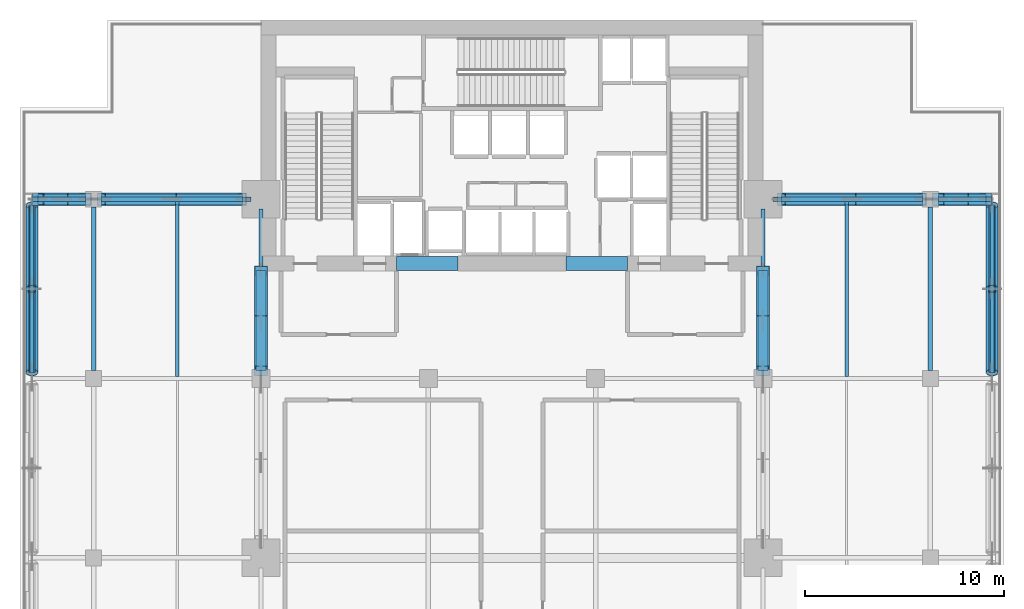
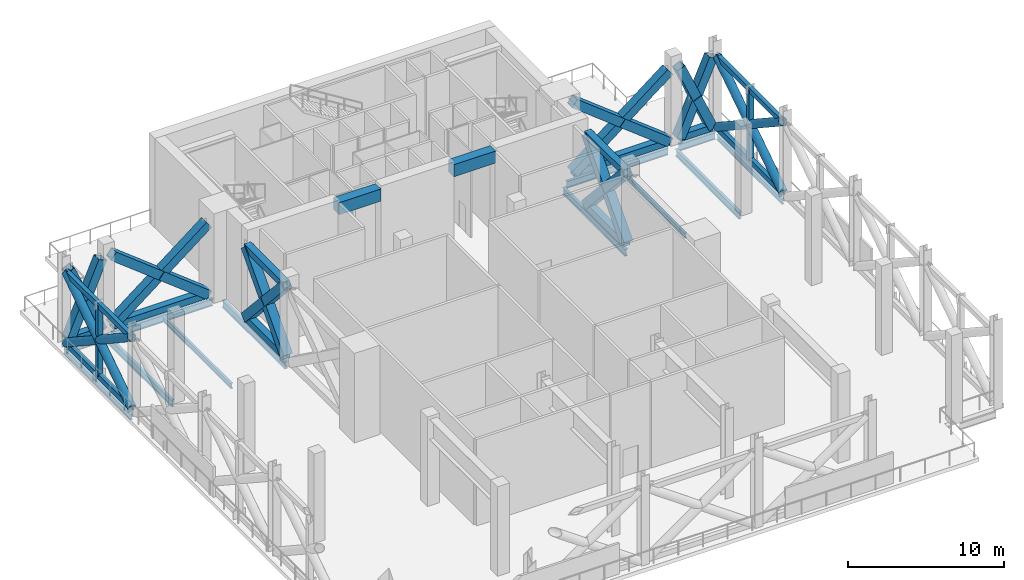
# One storey, part 4 of 14: 38 members, 14 beams.
"""IFC4 building model written with IfcOpenShell, lengths in metres."""

from ifc_helpers import new_model, si_unit, direction, frame, origin, origin_2d, place, context, subcontext, project, spatial, rectangle, hollow_rectangle, hollow_circle, i_section, extrude, material, material_profile, profile_set, type_object, element, save


model = new_model("IFC4")

# Units and contexts
model_context = context("Model", 3, precision=1e-05, world=origin(), true_north=direction((0.0, 1.0)))
body_context = subcontext(model_context, "Body", "Model", "MODEL_VIEW")
ifc_project = project(units=[si_unit("LENGTHUNIT", "METRE"), si_unit("AREAUNIT", "SQUARE_METRE"), si_unit("VOLUMEUNIT", "CUBIC_METRE"), si_unit("PLANEANGLEUNIT", "RADIAN"), si_unit("MASSUNIT", "GRAM", prefix="KILO")], contexts=[model_context])

# Site, building, storey
site_placement = place(None, origin())
site = spatial("IfcSite", under=ifc_project, at=site_placement, CompositionType="ELEMENT")
building_placement = place(site_placement, origin())
building = spatial("IfcBuilding", under=site, at=building_placement, Name="Maruvema Waterfront Hotel and Observation Tower", CompositionType="ELEMENT")
storey_placement = place(building_placement, frame((0.0, 0.0, 227.5)))
storey = spatial("IfcBuildingStorey", under=building, at=storey_placement, Name="L56", CompositionType="ELEMENT", Elevation=227.5)

# Beams
ifc_material_1 = material(Name="Concrete C60/75", Category="concrete")
ifc_material_profile_1 = material_profile(ifc_material_1, rectangle(XDim=0.699951171875, YDim=0.949951171875, at=origin_2d()), Name="CB700x950")
ifc_profile_set_1 = profile_set([ifc_material_profile_1], Name="Concrete C60/75")
beam_type_1 = type_object("IfcBeamType", Name="Core Coupling Lintel Beam CB700x950", PredefinedType="LINTEL", material=ifc_profile_set_1)
for number, where, z_axis, x_axis, name in (
    (1, (32.0, 41.77490234375, 6.284912109375), (1.0, 0.0, 0.0), (0.0, 1.0, 0.0), "L56 Core Coupling Lintel Beam West"),
    (2, (40.5, 41.77490234375, 6.284912109375), (1.0, 0.0, 0.0), (0.0, 1.0, 0.0), "L56 Core Coupling Lintel Beam East"),
):
    element("IfcBeam", number, at=place(storey_placement, frame(where, z_axis=z_axis, x_axis=x_axis)), inside=storey, type_object=beam_type_1, Name=name, PredefinedType="LINTEL", context=body_context, shape_type="SweptSolid", body=[
        extrude(rectangle(XDim=0.699951171875, YDim=0.949951171875, at=origin_2d()), origin(), (0.0, 0.0, 1.0), 3.10009765625),
    ])

# Members
ifc_material_2 = material(Name="Steel ABNT NBR 7007 AR 415 (ASTM A572 Grade 50)", Category="steel")
ifc_material_profile_2 = material_profile(ifc_material_2, hollow_rectangle(XDim=0.5, YDim=0.5, WallThickness=0.028076171875, at=origin_2d()), Name="SHS500x500x28.0")
ifc_profile_set_2 = profile_set([ifc_material_profile_2], Name="Steel ABNT NBR 7007 AR 415 (ASTM A572 Grade 50)")
member_type_1 = type_object("IfcMemberType", Name="Outrigger Truss Chord SHS500x500x28.0", PredefinedType="CHORD", material=ifc_profile_set_2)
for number, where, z_axis, x_axis, name in (
    (3, (25.199951171875, 36.39990234375, 0.25), (0.0, 1.0, 0.0), (-1.0, 0.0, 0.0), "L56 Outrigger Truss Bottom Chord W2"),
    (4, (25.199951171875, 36.39990234375, 5.780029296875), (0.0, 1.0, 0.0), (-1.0, 0.0, 0.0), "L56 Outrigger Truss Top Chord W2"),
    (5, (50.39990234375, 36.39990234375, 0.25), (0.0, 1.0, 0.0), (-1.0, 0.0, 0.0), "L56 Outrigger Truss Bottom Chord E2"),
    (6, (50.39990234375, 36.39990234375, 5.780029296875), (0.0, 1.0, 0.0), (-1.0, 0.0, 0.0), "L56 Outrigger Truss Top Chord E2"),
):
    element("IfcMember", number, at=place(storey_placement, frame(where, z_axis=z_axis, x_axis=x_axis)), inside=storey, type_object=member_type_1, Name=name, PredefinedType="CHORD", context=body_context, shape_type="SweptSolid", body=[
        extrude(hollow_rectangle(XDim=0.5, YDim=0.5, WallThickness=0.028076171875, at=origin_2d()), origin(), (0.0, 0.0, 1.0), 5.02001953125),
    ])
member_1_placement = place(storey_placement, frame((14.0, 45.0, 0.25), z_axis=(1.0, 0.0, 0.0), x_axis=(0.0, 1.0, 0.0)))
element("IfcMember", 7, at=member_1_placement, inside=storey, type_object=member_type_1, Name="L56 Outrigger Wing Bottom Chord W1", PredefinedType="CHORD", context=body_context, shape_type="SweptSolid", body=[
    extrude(hollow_rectangle(XDim=0.5, YDim=0.5, WallThickness=0.028076171875, at=origin_2d()), origin(), (0.0, 0.0, 1.0), 2.39990234375),
])
member_2_placement = place(storey_placement, frame((17.199951171875, 45.0, 0.25), z_axis=(1.0, 0.0, 0.0), x_axis=(0.0, 1.0, 0.0)))
element("IfcMember", 8, at=member_2_placement, inside=storey, type_object=member_type_1, Name="L56 Outrigger Wing Bottom Chord W2", PredefinedType="CHORD", context=body_context, shape_type="SweptSolid", body=[
    extrude(hollow_rectangle(XDim=0.5, YDim=0.5, WallThickness=0.028076171875, at=origin_2d()), origin(), (0.0, 0.0, 1.0), 7.070068359375),
])
member_3_placement = place(storey_placement, frame((51.330078125, 45.0, 0.25), z_axis=(1.0, 0.0, 0.0), x_axis=(0.0, 1.0, 0.0)))
element("IfcMember", 9, at=member_3_placement, inside=storey, type_object=member_type_1, Name="L56 Outrigger Wing Bottom Chord E1", PredefinedType="CHORD", context=body_context, shape_type="SweptSolid", body=[
    extrude(hollow_rectangle(XDim=0.5, YDim=0.5, WallThickness=0.028076171875, at=origin_2d()), origin(), (0.0, 0.0, 1.0), 7.06982421875),
])
member_4_placement = place(storey_placement, frame((59.199951171875, 45.0, 0.25), z_axis=(1.0, 0.0, 0.0), x_axis=(0.0, 1.0, 0.0)))
element("IfcMember", 10, at=member_4_placement, inside=storey, type_object=member_type_1, Name="L56 Outrigger Wing Bottom Chord E2", PredefinedType="CHORD", context=body_context, shape_type="SweptSolid", body=[
    extrude(hollow_rectangle(XDim=0.5, YDim=0.5, WallThickness=0.028076171875, at=origin_2d()), origin(), (0.0, 0.0, 1.0), 2.400146484375),
])
ifc_material_3 = material(Name="Steel ABNT NBR 7007 AR 415 (ASTM A572 Grade 50)", Category="steel")
ifc_material_profile_3 = material_profile(ifc_material_3, hollow_rectangle(XDim=0.64990234375, YDim=0.64990234375, WallThickness=0.035888671875, at=origin_2d()), Name="SHS650x650x36.0")
ifc_profile_set_3 = profile_set([ifc_material_profile_3], Name="Steel ABNT NBR 7007 AR 415 (ASTM A572 Grade 50)")
member_type_2 = type_object("IfcMemberType", Name="Outrigger Truss Diagonal SHS650x650x36.0", PredefinedType="BRACE", material=ifc_profile_set_3)
member_5_placement = place(storey_placement, frame((25.199951171875, 36.39990234375, 0.25), z_axis=(0.0, 0.672138954972, 0.740425030107), x_axis=(-1.0, 0.0, 0.0)))
element("IfcMember", 11, at=member_5_placement, inside=storey, type_object=member_type_2, Name="L56 Outrigger Truss Diagonal W2 Continuous A", PredefinedType="BRACE", context=body_context, shape_type="SweptSolid", body=[
    extrude(hollow_rectangle(XDim=0.64990234375, YDim=0.64990234375, WallThickness=0.035888671875, at=origin_2d()), origin(), (0.0, 0.0, 1.0), 7.46875),
])
for number, where, z_axis, x_axis, name in (
    (12, (25.199951171875, 41.419921875, 0.25), (0.0, -0.672136085093, 0.7404276353), (1.0, 0.0, 0.0), "L56 Outrigger Truss Diagonal W2 Split Lower B1"),
    (13, (25.199951171875, 38.896484375, 3.02978515625), (0.0, -0.672136085093, 0.7404276353), (1.0, 0.0, 0.0), "L56 Outrigger Truss Diagonal W2 Split Upper B2"),
):
    element("IfcMember", number, at=place(storey_placement, frame(where, z_axis=z_axis, x_axis=x_axis)), inside=storey, type_object=member_type_2, Name=name, PredefinedType="BRACE", context=body_context, shape_type="SweptSolid", body=[
        extrude(hollow_rectangle(XDim=0.64990234375, YDim=0.64990234375, WallThickness=0.035888671875, at=origin_2d()), origin(), (0.0, 0.0, 1.0), 3.71435546875),
    ])
member_6_placement = place(storey_placement, frame((50.39990234375, 36.39990234375, 0.25), z_axis=(0.0, 0.672138954972, 0.740425030107), x_axis=(-1.0, 0.0, 0.0)))
element("IfcMember", 14, at=member_6_placement, inside=storey, type_object=member_type_2, Name="L56 Outrigger Truss Diagonal E2 Continuous A", PredefinedType="BRACE", context=body_context, shape_type="SweptSolid", body=[
    extrude(hollow_rectangle(XDim=0.64990234375, YDim=0.64990234375, WallThickness=0.035888671875, at=origin_2d()), origin(), (0.0, 0.0, 1.0), 7.46875),
])
for number, where, z_axis, x_axis, name in (
    (15, (50.39990234375, 41.419921875, 0.25), (0.0, -0.672136085093, 0.7404276353), (1.0, 0.0, 0.0), "L56 Outrigger Truss Diagonal E2 Split Lower B1"),
    (16, (50.39990234375, 38.896484375, 3.02978515625), (0.0, -0.672136085093, 0.7404276353), (1.0, 0.0, 0.0), "L56 Outrigger Truss Diagonal E2 Split Upper B2"),
):
    element("IfcMember", number, at=place(storey_placement, frame(where, z_axis=z_axis, x_axis=x_axis)), inside=storey, type_object=member_type_2, Name=name, PredefinedType="BRACE", context=body_context, shape_type="SweptSolid", body=[
        extrude(hollow_rectangle(XDim=0.64990234375, YDim=0.64990234375, WallThickness=0.035888671875, at=origin_2d()), origin(), (0.0, 0.0, 1.0), 3.71435546875),
    ])
member_7_placement = place(storey_placement, frame((14.0, 45.0, 0.25), z_axis=(0.398104049539, 0.0, 0.917340267153), x_axis=(0.0, 1.0, 0.0)))
element("IfcMember", 17, at=member_7_placement, inside=storey, type_object=member_type_2, Name="L56 Outrigger Wing Diagonal W1 Continuous A", PredefinedType="BRACE", context=body_context, shape_type="SweptSolid", body=[
    extrude(hollow_rectangle(XDim=0.64990234375, YDim=0.64990234375, WallThickness=0.035888671875, at=origin_2d()), origin(), (0.0, 0.0, 1.0), 6.0283203125),
])
member_8_placement = place(storey_placement, frame((16.39990234375, 45.0, 0.25), z_axis=(-0.398087939197, 0.0, 0.917347258494), x_axis=(0.0, -1.0, 0.0)))
element("IfcMember", 18, at=member_8_placement, inside=storey, type_object=member_type_2, Name="L56 Outrigger Wing Diagonal W1 Split Lower B1", PredefinedType="BRACE", context=body_context, shape_type="SweptSolid", body=[
    extrude(hollow_rectangle(XDim=0.64990234375, YDim=0.64990234375, WallThickness=0.035888671875, at=origin_2d()), origin(), (0.0, 0.0, 1.0), 2.994140625),
])
member_9_placement = place(storey_placement, frame((15.19189453125, 45.0, 3.033203125), z_axis=(-0.398058163317, 0.0, 0.917360179328), x_axis=(0.0, -1.0, 0.0)))
element("IfcMember", 19, at=member_9_placement, inside=storey, type_object=member_type_2, Name="L56 Outrigger Wing Diagonal W1 Split Upper B2", PredefinedType="BRACE", context=body_context, shape_type="SweptSolid", body=[
    extrude(hollow_rectangle(XDim=0.64990234375, YDim=0.64990234375, WallThickness=0.035888671875, at=origin_2d()), origin(), (0.0, 0.0, 1.0), 2.994384765625),
])
member_10_placement = place(storey_placement, frame((17.199951171875, 45.0, 0.25), z_axis=(0.787670848093, 0.0, 0.61609628717), x_axis=(0.0, 1.0, 0.0)))
element("IfcMember", 20, at=member_10_placement, inside=storey, type_object=member_type_2, Name="L56 Outrigger Wing Diagonal W2 Continuous A", PredefinedType="BRACE", context=body_context, shape_type="SweptSolid", body=[
    extrude(hollow_rectangle(XDim=0.64990234375, YDim=0.64990234375, WallThickness=0.035888671875, at=origin_2d()), origin(), (0.0, 0.0, 1.0), 8.975830078125),
])
for number, where, z_axis, x_axis, name in (
    (21, (24.27001953125, 45.0, 0.25), (-0.787672166661, 0.0, 0.616094601395), (0.0, -1.0, 0.0), "L56 Outrigger Wing Diagonal W2 Split Lower B1"),
    (22, (20.71923828125, 45.0, 3.02734375), (-0.787672166661, 0.0, 0.616094601395), (0.0, -1.0, 0.0), "L56 Outrigger Wing Diagonal W2 Split Upper B2"),
):
    element("IfcMember", number, at=place(storey_placement, frame(where, z_axis=z_axis, x_axis=x_axis)), inside=storey, type_object=member_type_2, Name=name, PredefinedType="BRACE", context=body_context, shape_type="SweptSolid", body=[
        extrude(hollow_rectangle(XDim=0.64990234375, YDim=0.64990234375, WallThickness=0.035888671875, at=origin_2d()), origin(), (0.0, 0.0, 1.0), 4.468017578125),
    ])
member_11_placement = place(storey_placement, frame((51.330078125, 45.0, 0.25), z_axis=(0.787660523514, 0.0, 0.616109486778), x_axis=(0.0, 1.0, 0.0)))
element("IfcMember", 23, at=member_11_placement, inside=storey, type_object=member_type_2, Name="L56 Outrigger Wing Diagonal E1 Continuous A", PredefinedType="BRACE", context=body_context, shape_type="SweptSolid", body=[
    extrude(hollow_rectangle(XDim=0.64990234375, YDim=0.64990234375, WallThickness=0.035888671875, at=origin_2d()), origin(), (0.0, 0.0, 1.0), 8.975830078125),
])
for number, where, z_axis, x_axis, name in (
    (24, (58.39990234375, 45.0, 0.25), (-0.787651424514, 0.0, 0.616121119148), (0.0, -1.0, 0.0), "L56 Outrigger Wing Diagonal E1 Split Lower B1"),
    (25, (54.84912109375, 45.0, 3.02734375), (-0.787651424514, 0.0, 0.616121119148), (0.0, -1.0, 0.0), "L56 Outrigger Wing Diagonal E1 Split Upper B2"),
):
    element("IfcMember", number, at=place(storey_placement, frame(where, z_axis=z_axis, x_axis=x_axis)), inside=storey, type_object=member_type_2, Name=name, PredefinedType="BRACE", context=body_context, shape_type="SweptSolid", body=[
        extrude(hollow_rectangle(XDim=0.64990234375, YDim=0.64990234375, WallThickness=0.035888671875, at=origin_2d()), origin(), (0.0, 0.0, 1.0), 4.4677734375),
    ])
member_12_placement = place(storey_placement, frame((59.199951171875, 45.0, 0.25), z_axis=(0.398138129061, 0.0, 0.917325476692), x_axis=(0.0, 1.0, 0.0)))
element("IfcMember", 26, at=member_12_placement, inside=storey, type_object=member_type_2, Name="L56 Outrigger Wing Diagonal E2 Continuous A", PredefinedType="BRACE", context=body_context, shape_type="SweptSolid", body=[
    extrude(hollow_rectangle(XDim=0.64990234375, YDim=0.64990234375, WallThickness=0.035888671875, at=origin_2d()), origin(), (0.0, 0.0, 1.0), 6.0283203125),
])
member_13_placement = place(storey_placement, frame((61.60009765625, 45.0, 0.25), z_axis=(-0.39815655555, 0.0, 0.917317478996), x_axis=(0.0, -1.0, 0.0)))
element("IfcMember", 27, at=member_13_placement, inside=storey, type_object=member_type_2, Name="L56 Outrigger Wing Diagonal E2 Split Lower B1", PredefinedType="BRACE", context=body_context, shape_type="SweptSolid", body=[
    extrude(hollow_rectangle(XDim=0.64990234375, YDim=0.64990234375, WallThickness=0.035888671875, at=origin_2d()), origin(), (0.0, 0.0, 1.0), 2.994140625),
])
member_14_placement = place(storey_placement, frame((60.39208984375, 45.0, 3.033203125), z_axis=(-0.398126776471, 0.0, 0.917330403866), x_axis=(0.0, -1.0, 0.0)))
element("IfcMember", 28, at=member_14_placement, inside=storey, type_object=member_type_2, Name="L56 Outrigger Wing Diagonal E2 Split Upper B2", PredefinedType="BRACE", context=body_context, shape_type="SweptSolid", body=[
    extrude(hollow_rectangle(XDim=0.64990234375, YDim=0.64990234375, WallThickness=0.035888671875, at=origin_2d()), origin(), (0.0, 0.0, 1.0), 2.994384765625),
])
ifc_material_4 = material(Name="Steel ABNT NBR 7007 AR 415 (ASTM A572 Grade 50)", Category="steel")
ifc_material_profile_4 = material_profile(ifc_material_4, hollow_rectangle(XDim=0.300048828125, YDim=0.39990234375, WallThickness=0.02001953125, at=origin_2d()), Name="RHS400x300x20.0")
ifc_profile_set_4 = profile_set([ifc_material_profile_4], Name="Steel ABNT NBR 7007 AR 415 (ASTM A572 Grade 50)")
member_type_3 = type_object("IfcMemberType", Name="Perimeter Belt Truss Chord RHS400x300x20.0", PredefinedType="CHORD", material=ifc_profile_set_4)
for number, where, z_axis, x_axis, name in (
    (29, (13.699951171875, 36.300048828125, 0.25), (0.0, 1.0, 0.0), (-1.0, 0.0, 0.0), "L56 Perimeter Belt Truss Chord W4"),
    (30, (13.699951171875, 36.300048828125, 5.780029296875), (0.0, 1.0, 0.0), (-1.0, 0.0, 0.0), "L56 Perimeter Belt Truss Top Chord W4"),
    (31, (61.89990234375, 36.300048828125, 0.25), (0.0, 1.0, 0.0), (-1.0, 0.0, 0.0), "L56 Perimeter Belt Truss Chord E8"),
    (32, (61.89990234375, 36.300048828125, 5.780029296875), (0.0, 1.0, 0.0), (-1.0, 0.0, 0.0), "L56 Perimeter Belt Truss Top Chord E8"),
):
    element("IfcMember", number, at=place(storey_placement, frame(where, z_axis=z_axis, x_axis=x_axis)), inside=storey, type_object=member_type_3, Name=name, PredefinedType="CHORD", context=body_context, shape_type="SweptSolid", body=[
        extrude(hollow_rectangle(XDim=0.300048828125, YDim=0.39990234375, WallThickness=0.02001953125, at=origin_2d()), origin(), (0.0, 0.0, 1.0), 8.39990234375),
    ])
ifc_material_5 = material(Name="Steel ABNT NBR 7007 AR 350 (ASTM A572 Grade 50)", Category="steel")
ifc_material_profile_5 = material_profile(ifc_material_5, hollow_circle(Radius=0.304931640625, WallThickness=0.02490234375, at=origin_2d()), Name="CHS610.0x25.0")
ifc_profile_set_5 = profile_set([ifc_material_profile_5], Name="Steel ABNT NBR 7007 AR 350 (ASTM A572 Grade 50)")
member_type_4 = type_object("IfcMemberType", Name="Perimeter Belt Truss Diagonal CHS610.0x25.0", PredefinedType="BRACE", material=ifc_profile_set_5)
member_15_placement = place(storey_placement, frame((13.699951171875, 36.300048828125, 0.25), z_axis=(0.0, 0.835244562072, 0.549878642547), x_axis=(-1.0, 0.0, 0.0)))
element("IfcMember", 33, at=member_15_placement, inside=storey, type_object=member_type_4, Name="L56 Perimeter Belt Truss Diagonal W4 Continuous A", PredefinedType="BRACE", context=body_context, shape_type="SweptSolid", body=[
    extrude(hollow_circle(Radius=0.304931640625, WallThickness=0.02490234375, at=origin_2d()), origin(), (0.0, 0.0, 1.0), 10.056884765625),
])
for number, where, z_axis, x_axis, name in (
    (34, (13.699951171875, 44.699951171875, 0.25), (0.0, -0.835260962729, 0.549853729769), (1.0, 0.0, 0.0), "L56 Perimeter Belt Truss Diagonal W4 Split Lower B1"),
    (35, (13.699951171875, 40.4833984375, 3.02587890625), (0.0, -0.835238575042, 0.549887736507), (1.0, 0.0, 0.0), "L56 Perimeter Belt Truss Diagonal W4 Split Upper B2"),
):
    element("IfcMember", number, at=place(storey_placement, frame(where, z_axis=z_axis, x_axis=x_axis)), inside=storey, type_object=member_type_4, Name=name, PredefinedType="BRACE", context=body_context, shape_type="SweptSolid", body=[
        extrude(hollow_circle(Radius=0.304931640625, WallThickness=0.02490234375, at=origin_2d()), origin(), (0.0, 0.0, 1.0), 5.008544921875),
    ])
member_16_placement = place(storey_placement, frame((61.89990234375, 36.300048828125, 0.25), z_axis=(0.0, 0.835244562072, 0.549878642547), x_axis=(-1.0, 0.0, 0.0)))
element("IfcMember", 36, at=member_16_placement, inside=storey, type_object=member_type_4, Name="L56 Perimeter Belt Truss Diagonal E8 Continuous A", PredefinedType="BRACE", context=body_context, shape_type="SweptSolid", body=[
    extrude(hollow_circle(Radius=0.304931640625, WallThickness=0.02490234375, at=origin_2d()), origin(), (0.0, 0.0, 1.0), 10.056884765625),
])
for number, where, z_axis, x_axis, name in (
    (37, (61.89990234375, 44.699951171875, 0.25), (0.0, -0.835260962729, 0.549853729769), (1.0, 0.0, 0.0), "L56 Perimeter Belt Truss Diagonal E8 Split Lower B1"),
    (38, (61.89990234375, 40.4833984375, 3.02587890625), (0.0, -0.835238575042, 0.549887736507), (1.0, 0.0, 0.0), "L56 Perimeter Belt Truss Diagonal E8 Split Upper B2"),
):
    element("IfcMember", number, at=place(storey_placement, frame(where, z_axis=z_axis, x_axis=x_axis)), inside=storey, type_object=member_type_4, Name=name, PredefinedType="BRACE", context=body_context, shape_type="SweptSolid", body=[
        extrude(hollow_circle(Radius=0.304931640625, WallThickness=0.02490234375, at=origin_2d()), origin(), (0.0, 0.0, 1.0), 5.008544921875),
    ])
ifc_material_6 = material(Name="Steel ABNT NBR 7007 AR 415 (ASTM A572 Grade 50)", Category="steel")
ifc_material_profile_6 = material_profile(ifc_material_6, hollow_rectangle(XDim=0.35009765625, YDim=0.35009765625, WallThickness=0.02001953125, at=origin_2d()), Name="SHS350x350x20.0")
ifc_profile_set_6 = profile_set([ifc_material_profile_6], Name="Steel ABNT NBR 7007 AR 415 (ASTM A572 Grade 50)")
member_type_5 = type_object("IfcMemberType", Name="Perimeter Belt Truss Post SHS350x350x20.0", PredefinedType="POST", material=ifc_profile_set_6)
for number, where, z_axis, x_axis, name in (
    (39, (13.699951171875, 40.5, 0.25), (0.0, 0.0, 1.0), (1.0, 0.0, 0.0), "L56 Perimeter Belt Truss Post W4"),
    (40, (61.89990234375, 40.5, 0.25), (0.0, 0.0, 1.0), (1.0, 0.0, 0.0), "L56 Perimeter Belt Truss Post E8"),
):
    element("IfcMember", number, at=place(storey_placement, frame(where, z_axis=z_axis, x_axis=x_axis)), inside=storey, type_object=member_type_5, Name=name, PredefinedType="POST", context=body_context, shape_type="SweptSolid", body=[
        extrude(hollow_rectangle(XDim=0.35009765625, YDim=0.35009765625, WallThickness=0.02001953125, at=origin_2d()), origin(), (0.0, 0.0, 1.0), 5.530029296875),
    ])

# Beams
ifc_material_7 = material(Name="Steel ASTM A572 Grade 50", Category="steel")
ifc_material_profile_7 = material_profile(ifc_material_7, i_section(OverallWidth=0.178955078125, OverallDepth=0.409912109375, WebThickness=0.0087890625, FlangeThickness=0.014404296875, FilletRadius=0.014892578125, at=origin_2d()), Name="W410x67.0")
ifc_profile_set_7 = profile_set([ifc_material_profile_7], Name="Steel ASTM A572 Grade 50")
beam_type_2 = type_object("IfcBeamType", Name="Perimeter Spandrel Beam W410x67.0", PredefinedType="SPANDREL", material=ifc_profile_set_7)
for number, where, z_axis, x_axis, name in (
    (41, (13.699951171875, 36.300048828125, -0.5048828125), (0.0, 1.0, 0.0), (-1.0, 0.0, 0.0), "L56 Floor Girder NS-04"),
    (42, (61.89990234375, 36.300048828125, -0.5048828125), (0.0, 1.0, 0.0), (-1.0, 0.0, 0.0), "L56 Floor Girder NS-32"),
):
    element("IfcBeam", number, at=place(storey_placement, frame(where, z_axis=z_axis, x_axis=x_axis)), inside=storey, type_object=beam_type_2, Name=name, PredefinedType="SPANDREL", context=body_context, shape_type="SweptSolid", body=[
        extrude(i_section(OverallWidth=0.178955078125, OverallDepth=0.409912109375, WebThickness=0.0087890625, FlangeThickness=0.014404296875, FilletRadius=0.014892578125, at=origin_2d()), origin(), (0.0, 0.0, 1.0), 8.39990234375),
    ])
ifc_material_8 = material(Name="Steel ASTM A572 Grade 50", Category="steel")
ifc_material_profile_8 = material_profile(ifc_material_8, i_section(OverallWidth=0.2109375, OverallDepth=0.5390625, WebThickness=0.01171875, FlangeThickness=0.018798828125, FilletRadius=0.014892578125, at=origin_2d()), Name="W530x109.0")
ifc_profile_set_8 = profile_set([ifc_material_profile_8], Name="Steel ASTM A572 Grade 50")
beam_type_3 = type_object("IfcBeamType", Name="Primary Floor Girder W530x109.0", PredefinedType="BEAM", material=ifc_profile_set_8)
beam_1_placement = place(storey_placement, frame((13.71240234375, 45.0, -0.569580078125), z_axis=(1.0, 0.0, 0.0), x_axis=(0.0, 1.0, 0.0)))
element("IfcBeam", 43, at=beam_1_placement, inside=storey, type_object=beam_type_3, Name="L56 Floor Girder EW-30", PredefinedType="BEAM", context=body_context, shape_type="SweptSolid", body=[
    extrude(i_section(OverallWidth=0.2109375, OverallDepth=0.5390625, WebThickness=0.01171875, FlangeThickness=0.018798828125, FilletRadius=0.014892578125, at=origin_2d()), origin(), (0.0, 0.0, 1.0), 2.6875),
])
for number, where, z_axis, x_axis, name in (
    (44, (17.199951171875, 45.0, -0.569580078125), (1.0, 0.0, 0.0), (0.0, 1.0, 0.0), "L56 Floor Girder EW-31"),
    (45, (50.89990234375, 45.0, -0.569580078125), (1.0, 0.0, 0.0), (0.0, 1.0, 0.0), "L56 Floor Girder EW-32"),
):
    element("IfcBeam", number, at=place(storey_placement, frame(where, z_axis=z_axis, x_axis=x_axis)), inside=storey, type_object=beam_type_3, Name=name, PredefinedType="BEAM", context=body_context, shape_type="SweptSolid", body=[
        extrude(i_section(OverallWidth=0.2109375, OverallDepth=0.5390625, WebThickness=0.01171875, FlangeThickness=0.018798828125, FilletRadius=0.014892578125, at=origin_2d()), origin(), (0.0, 0.0, 1.0), 7.5),
    ])
beam_2_placement = place(storey_placement, frame((59.199951171875, 45.0, -0.569580078125), z_axis=(1.0, 0.0, 0.0), x_axis=(0.0, 1.0, 0.0)))
element("IfcBeam", 46, at=beam_2_placement, inside=storey, type_object=beam_type_3, Name="L56 Floor Girder EW-33", PredefinedType="BEAM", context=body_context, shape_type="SweptSolid", body=[
    extrude(i_section(OverallWidth=0.2109375, OverallDepth=0.5390625, WebThickness=0.01171875, FlangeThickness=0.018798828125, FilletRadius=0.014892578125, at=origin_2d()), origin(), (0.0, 0.0, 1.0), 2.6875),
])
beam_3_placement = place(storey_placement, frame((16.800048828125, 36.39990234375, -0.569580078125), z_axis=(0.0, 1.0, 0.0), x_axis=(-1.0, 0.0, 0.0)))
element("IfcBeam", 47, at=beam_3_placement, inside=storey, type_object=beam_type_3, Name="L56 Floor Girder NS-08", PredefinedType="BEAM", context=body_context, shape_type="SweptSolid", body=[
    extrude(i_section(OverallWidth=0.2109375, OverallDepth=0.5390625, WebThickness=0.01171875, FlangeThickness=0.018798828125, FilletRadius=0.014892578125, at=origin_2d()), origin(), (0.0, 0.0, 1.0), 8.2001953125),
])
for number, where, z_axis, x_axis, name in (
    (48, (25.199951171875, 36.449951171875, -0.569580078125), (0.0, 1.0, 0.0), (-1.0, 0.0, 0.0), "L56 Floor Girder NS-13"),
    (49, (50.39990234375, 36.449951171875, -0.569580078125), (0.0, 1.0, 0.0), (-1.0, 0.0, 0.0), "L56 Floor Girder NS-24"),
):
    element("IfcBeam", number, at=place(storey_placement, frame(where, z_axis=z_axis, x_axis=x_axis)), inside=storey, type_object=beam_type_3, Name=name, PredefinedType="BEAM", context=body_context, shape_type="SweptSolid", body=[
        extrude(i_section(OverallWidth=0.2109375, OverallDepth=0.5390625, WebThickness=0.01171875, FlangeThickness=0.018798828125, FilletRadius=0.014892578125, at=origin_2d()), origin(), (0.0, 0.0, 1.0), 8.050048828125),
    ])
beam_4_placement = place(storey_placement, frame((58.800048828125, 36.39990234375, -0.569580078125), z_axis=(0.0, 1.0, 0.0), x_axis=(-1.0, 0.0, 0.0)))
element("IfcBeam", 50, at=beam_4_placement, inside=storey, type_object=beam_type_3, Name="L56 Floor Girder NS-28", PredefinedType="BEAM", context=body_context, shape_type="SweptSolid", body=[
    extrude(i_section(OverallWidth=0.2109375, OverallDepth=0.5390625, WebThickness=0.01171875, FlangeThickness=0.018798828125, FilletRadius=0.014892578125, at=origin_2d()), origin(), (0.0, 0.0, 1.0), 8.2001953125),
])
ifc_material_9 = material(Name="Steel ASTM A572 Grade 50", Category="steel")
ifc_material_profile_9 = material_profile(ifc_material_9, i_section(OverallWidth=0.177001953125, OverallDepth=0.403076171875, WebThickness=0.007568359375, FlangeThickness=0.010986328125, FilletRadius=0.014892578125, at=origin_2d()), Name="W410x53.0")
ifc_profile_set_9 = profile_set([ifc_material_profile_9], Name="Steel ASTM A572 Grade 50")
beam_type_4 = type_object("IfcBeamType", Name="Secondary Floor Joist W410x53.0", PredefinedType="JOIST", material=ifc_profile_set_9)
for number, where, z_axis, x_axis, name in (
    (51, (21.0, 36.10546875, -0.50146484375), (0.0, 1.0, 0.0), (-1.0, 0.0, 0.0), "L56 Secondary Floor Joist JS-04"),
    (52, (54.60009765625, 36.10546875, -0.50146484375), (0.0, 1.0, 0.0), (-1.0, 0.0, 0.0), "L56 Secondary Floor Joist JS-14"),
):
    element("IfcBeam", number, at=place(storey_placement, frame(where, z_axis=z_axis, x_axis=x_axis)), inside=storey, type_object=beam_type_4, Name=name, PredefinedType="JOIST", context=body_context, shape_type="SweptSolid", body=[
        extrude(i_section(OverallWidth=0.177001953125, OverallDepth=0.403076171875, WebThickness=0.007568359375, FlangeThickness=0.010986328125, FilletRadius=0.014892578125, at=origin_2d()), origin(), (0.0, 0.0, 1.0), 8.7890625),
    ])

save(model, "model.ifc")
